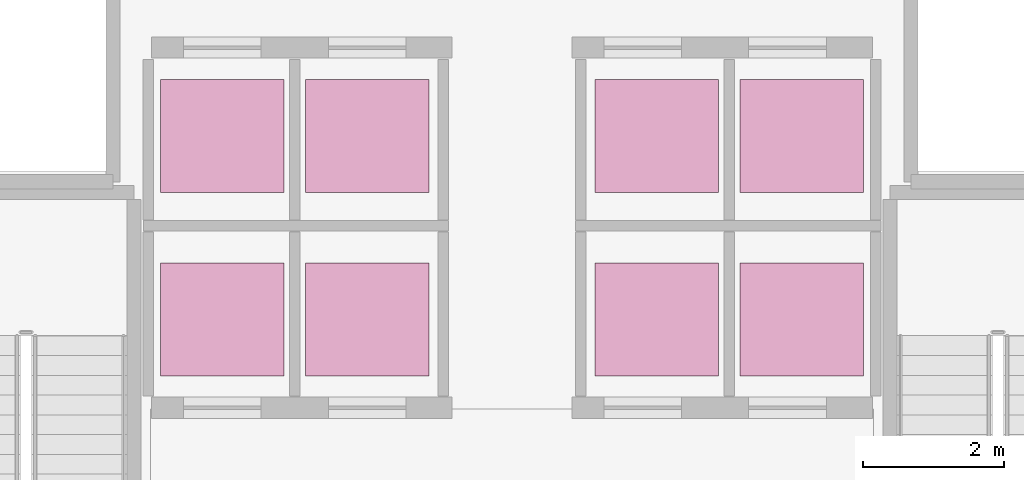
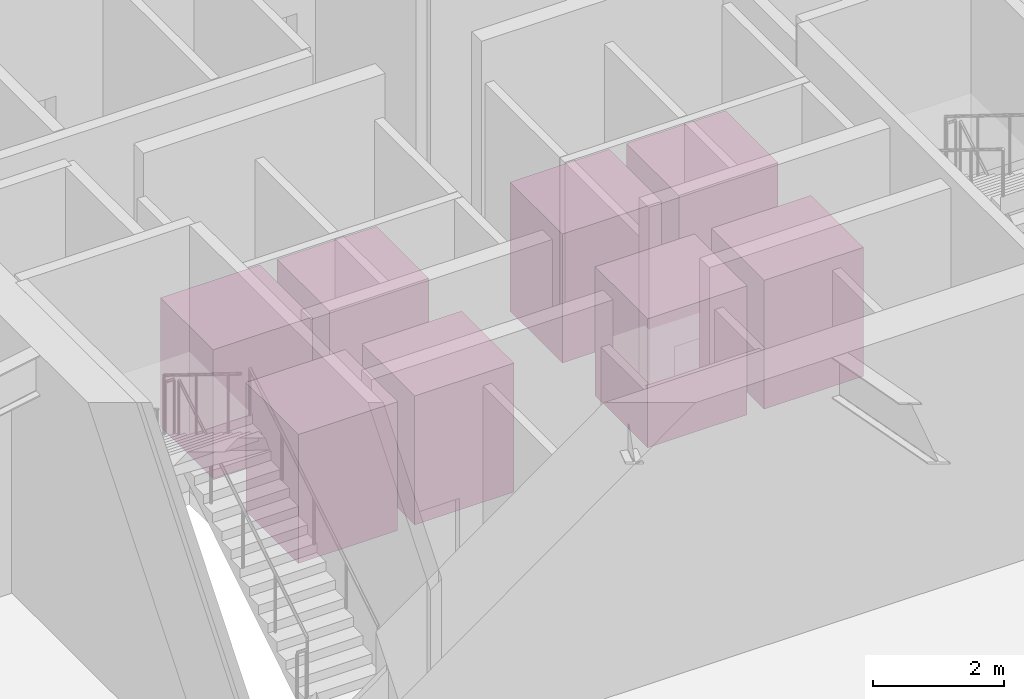
# One storey, part 35 of 35: 8 transport elements.
"""IFC4 building model written with IfcOpenShell, lengths in metres."""

from ifc_helpers import new_model, si_unit, direction, frame, origin, origin_2d, place, context, subcontext, project, spatial, rectangle, extrude, source, transform, mapped, material, type_object, element, save


model = new_model("IFC4")

# Units and contexts
model_context = context("Model", 3, precision=1e-05, world=origin(), true_north=direction((0.0, 1.0)))
body_context = subcontext(model_context, "Body", "Model", "MODEL_VIEW")
ifc_project = project(units=[si_unit("LENGTHUNIT", "METRE"), si_unit("AREAUNIT", "SQUARE_METRE"), si_unit("VOLUMEUNIT", "CUBIC_METRE"), si_unit("PLANEANGLEUNIT", "RADIAN"), si_unit("MASSUNIT", "GRAM", prefix="KILO"), si_unit("THERMODYNAMICTEMPERATUREUNIT", "KELVIN")], contexts=[model_context])

# Site, building, storey
site_placement = place(None, origin())
site = spatial("IfcSite", under=ifc_project, at=site_placement, CompositionType="ELEMENT")
building_placement = place(site_placement, origin())
building = spatial("IfcBuilding", under=site, at=building_placement, Name="Kethvar Cultural Tower", CompositionType="ELEMENT")
storey_placement = place(building_placement, origin())
storey = spatial("IfcBuildingStorey", under=building, at=storey_placement, Name="L00", CompositionType="ELEMENT", Elevation=0.0)

# Transport elements
ifc_material = material(Name="Steel S355J2", Category="steel")
transport_element_type = type_object("IfcTransportElementType", Name="LIFT-PASS-1750", PredefinedType="ELEVATOR", material=ifc_material)
shared_shape = source(origin(), body_context, "Body", "SweptSolid", [
    extrude(rectangle(XDim=1.75, YDim=1.60009765625, at=origin_2d()), origin(), (0.0, 0.0, 1.0), 2.39990234375),
])
for number, where, z_axis, x_axis, name in (
    (1, (42.699951171875, 26.0, 0.0), (0.0, 0.0, 1.0), (1.0, 0.0, 0.0), "Passenger Lift PL-M1"),
    (2, (44.75, 26.0, 0.0), (0.0, 0.0, 1.0), (1.0, 0.0, 0.0), "Passenger Lift PL-M2"),
    (3, (48.85009765625, 26.0, 0.0), (0.0, 0.0, 1.0), (1.0, 0.0, 0.0), "Passenger Lift PL-M3"),
    (4, (50.89990234375, 26.0, 0.0), (0.0, 0.0, 1.0), (1.0, 0.0, 0.0), "Passenger Lift PL-M4"),
    (5, (42.699951171875, 28.60009765625, 0.0), (0.0, 0.0, 1.0), (1.0, 0.0, 0.0), "Passenger Lift PL-H1"),
    (6, (44.75, 28.60009765625, 0.0), (0.0, 0.0, 1.0), (1.0, 0.0, 0.0), "Passenger Lift PL-H2"),
    (7, (48.85009765625, 28.60009765625, 0.0), (0.0, 0.0, 1.0), (1.0, 0.0, 0.0), "Passenger Lift PL-H3"),
    (8, (50.89990234375, 28.60009765625, 0.0), (0.0, 0.0, 1.0), (1.0, 0.0, 0.0), "Passenger Lift PL-H4"),
):
    element("IfcTransportElement", number, at=place(storey_placement, frame(where, z_axis=z_axis, x_axis=x_axis)), inside=storey, type_object=transport_element_type, Name=name, PredefinedType="ELEVATOR", context=body_context, shape_type="MappedRepresentation", body=[
        mapped(shared_shape, transform((0.0, 0.0, 0.0), scale=1.0)),
    ])

save(model, "model.ifc")
